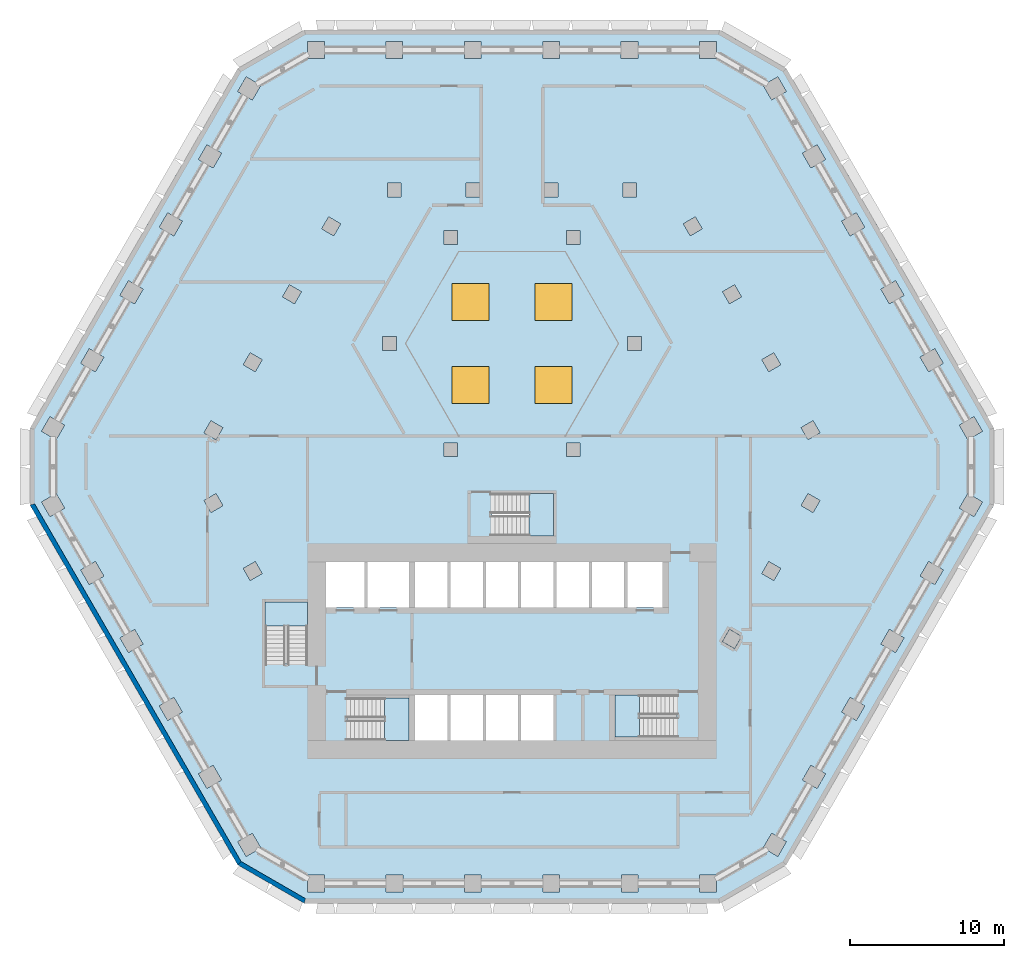
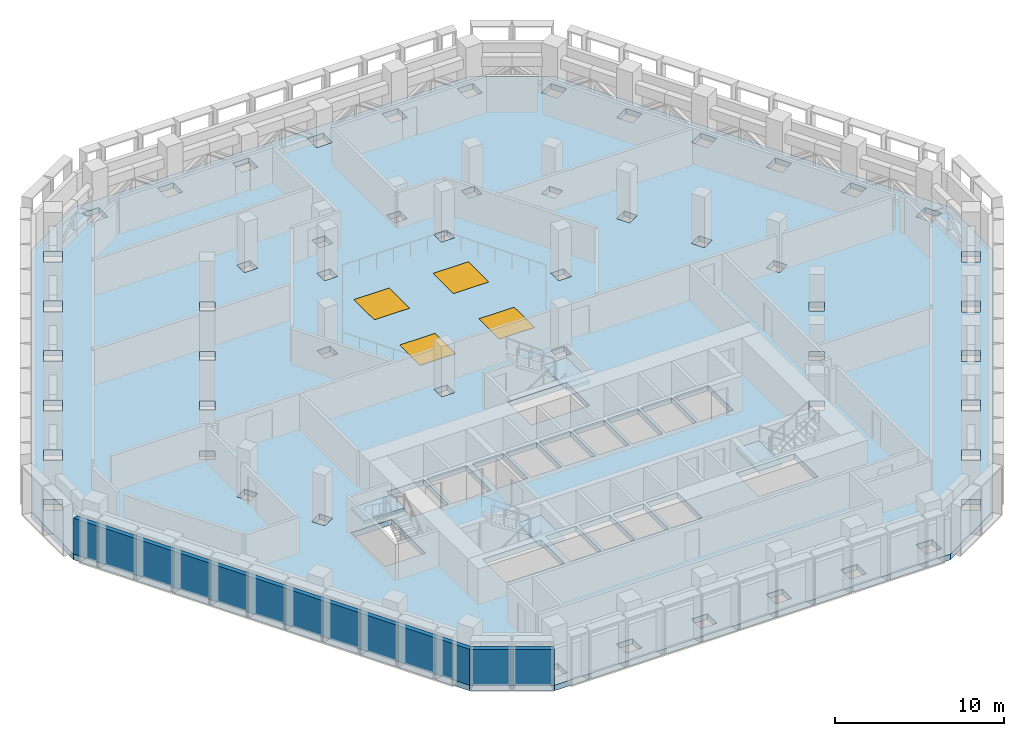
# One storey, part 10 of 22: 5 slabs, 4 windows, 2 walls, 4 openings, 4 elements without a shape of their own.
"""IFC4 building model written with IfcOpenShell, lengths in metres."""

from ifc_helpers import new_model, si_unit, direction, frame, origin, origin_2d, place, context, subcontext, project, spatial, polyline, rectangle, outline, extrude, material, layer, layer_set, type_object, element, fill, aggregate, save


model = new_model("IFC4")

# Units and contexts
model_context = context("Model", 3, precision=1e-05, world=origin(), true_north=direction((0.0, 1.0)))
body_context = subcontext(model_context, "Body", "Model", "MODEL_VIEW")
ifc_project = project(units=[si_unit("LENGTHUNIT", "METRE"), si_unit("AREAUNIT", "SQUARE_METRE"), si_unit("VOLUMEUNIT", "CUBIC_METRE"), si_unit("PLANEANGLEUNIT", "RADIAN"), si_unit("MASSUNIT", "GRAM", prefix="KILO")], contexts=[model_context])

# Site, building, storey
site_placement = place(None, origin())
site = spatial("IfcSite", under=ifc_project, at=site_placement, CompositionType="ELEMENT")
building_placement = place(site_placement, origin())
building = spatial("IfcBuilding", under=site, at=building_placement, Name="Beryl Residences", CompositionType="ELEMENT")
storey_placement = place(building_placement, frame((0.0, 0.0, 62.39990234375)))
storey = spatial("IfcBuildingStorey", under=building, at=storey_placement, Name="L19", CompositionType="ELEMENT", Elevation=62.39990234375)

# Slab, openings, windows
ifc_material_1 = material(Name="Concrete C40/50", Category="concrete")
ifc_layer_1 = layer(ifc_material_1, 0.39990234375)
ifc_layer_set_1 = layer_set([ifc_layer_1], Name="SL8 PT floor slab 400 mm C40/50")
slab_type_1 = type_object("IfcSlabType", Name="SL8 PT floor slab 400 mm C40/50", PredefinedType="FLOOR", material=ifc_layer_set_1)
slab_1_placement = place(storey_placement, frame((0.0, 0.0, -0.39990234375)))
slab_1 = element("IfcSlab", 1, at=slab_1_placement, inside=storey, type_object=slab_type_1, Name="L19 slab 1", PredefinedType="FLOOR", context=body_context, shape_type="SweptSolid", body=[
    extrude(outline(polyline([(31.35009765625, 2.5), (31.35009765625, -2.5), (17.840087890625, -25.89990234375), (13.510009765625, -28.39990234375), (-13.510009765625, -28.39990234375), (-17.840087890625, -25.89990234375), (-31.35009765625, -2.5), (-31.35009765625, 2.5), (-17.840087890625, 25.89990234375), (-13.510009765625, 28.39990234375), (13.510009765625, 28.39990234375), (17.840087890625, 25.89990234375), (31.35009765625, 2.5)]), holes=[polyline([(30.050048828125, -3.25), (30.60009765625, -2.298095703125), (29.64794921875, -1.748046875), (29.097900390625, -2.699951171875), (30.050048828125, -3.25)]), polyline([(29.64697265625, 1.7490234375), (30.59912109375, 2.299072265625), (30.049072265625, 3.2509765625), (29.096923828125, 2.700927734375), (29.64697265625, 1.7490234375)]), polyline([(27.4990234375, -7.669921875), (28.049072265625, -6.718017578125), (27.096923828125, -6.16796875), (26.547119140625, -7.1201171875), (27.4990234375, -7.669921875)]), polyline([(28.048095703125, 6.719970703125), (27.498046875, 7.672119140625), (26.5458984375, 7.1220703125), (27.095947265625, 6.169921875), (28.048095703125, 6.719970703125)]), polyline([(25.4970703125, -11.137939453125), (24.544921875, -10.587890625), (23.9951171875, -11.5400390625), (24.947021484375, -12.090087890625), (25.4970703125, -11.137939453125)]), polyline([(24.5439453125, 10.590087890625), (25.49609375, 11.139892578125), (24.946044921875, 12.092041015625), (23.993896484375, 11.5419921875), (24.5439453125, 10.590087890625)]), polyline([(21.443115234375, -15.9599609375), (22.39501953125, -16.510009765625), (22.945068359375, -15.55810546875), (21.992919921875, -15.008056640625), (21.443115234375, -15.9599609375)]), polyline([(22.944091796875, 15.56005859375), (22.39404296875, 16.511962890625), (21.44189453125, 15.9619140625), (21.991943359375, 15.010009765625), (22.944091796875, 15.56005859375)]), polyline([(19.843017578125, -20.930908203125), (20.39306640625, -19.97900390625), (19.44091796875, -19.428955078125), (18.89111328125, -20.381103515625), (19.843017578125, -20.930908203125)]), polyline([(20.39208984375, 19.97998046875), (19.842041015625, 20.931884765625), (18.889892578125, 20.382080078125), (19.43994140625, 19.429931640625), (20.39208984375, 19.97998046875)]), polyline([(19.58203125, -2.98388671875), (20.031982421875, -2.2041015625), (19.251953125, -1.75390625), (18.802001953125, -2.533935546875), (19.58203125, -2.98388671875)]), polyline([(19.2509765625, 1.756103515625), (20.031005859375, 2.2060546875), (19.5810546875, 2.986083984375), (18.801025390625, 2.535888671875), (19.2509765625, 1.756103515625)]), polyline([(17.291015625, -25.35107421875), (17.841064453125, -24.39892578125), (16.888916015625, -23.84912109375), (16.339111328125, -24.801025390625), (17.291015625, -25.35107421875)]), polyline([(16.887939453125, 23.85009765625), (17.840087890625, 24.39990234375), (17.2900390625, 25.35205078125), (16.337890625, 24.802001953125), (16.887939453125, 23.85009765625)]), polyline([(17.030029296875, -7.404052734375), (17.47998046875, -6.6240234375), (16.699951171875, -6.174072265625), (16.25, -6.9541015625), (17.030029296875, -7.404052734375)]), polyline([(17.47900390625, 6.6259765625), (17.029052734375, 7.406005859375), (16.2490234375, 6.9560546875), (16.698974609375, 6.176025390625), (17.47900390625, 6.6259765625)]), polyline([(14.47802734375, -11.823974609375), (14.927978515625, -11.0439453125), (14.14794921875, -10.593994140625), (13.697998046875, -11.3740234375), (14.47802734375, -11.823974609375)]), polyline([(14.14697265625, 10.595947265625), (14.927001953125, 11.0458984375), (14.47705078125, 11.825927734375), (13.697021484375, 11.3759765625), (14.14697265625, 10.595947265625)]), polyline([(12.2109375, -27.64990234375), (13.31103515625, -27.64990234375), (13.31103515625, -26.550048828125), (12.2109375, -26.550048828125), (12.2109375, -27.64990234375)]), polyline([(13.30908203125, 26.550048828125), (13.30908203125, 27.64990234375), (12.208984375, 27.64990234375), (12.208984375, 26.550048828125), (13.30908203125, 26.550048828125)]), polyline([(12.375, 15.466064453125), (11.925048828125, 16.24609375), (11.14501953125, 15.7958984375), (11.594970703125, 15.01611328125), (12.375, 15.466064453125)]), polyline([(10.699951171875, -17.60009765625), (10.699951171875, -14.85009765625), (6.699951171875, -14.85009765625), (6.699951171875, -17.60009765625), (10.699951171875, -17.60009765625)]), polyline([(9.800048828125, -9.14990234375), (9.800048828125, -6.199951171875), (7.5, -6.199951171875), (7.5, -9.14990234375), (9.800048828125, -9.14990234375)]), polyline([(7.51708984375, 7.550048828125), (8.4169921875, 7.550048828125), (8.4169921875, 8.449951171875), (7.51708984375, 8.449951171875), (7.51708984375, 7.550048828125)]), polyline([(7.10693359375, -26.550048828125), (7.10693359375, -27.64990234375), (8.20703125, -27.64990234375), (8.20703125, -26.550048828125), (7.10693359375, -26.550048828125)]), polyline([(8.205078125, 26.550048828125), (8.205078125, 27.64990234375), (7.10498046875, 27.64990234375), (7.10498046875, 26.550048828125), (8.205078125, 26.550048828125)]), polyline([(8.10498046875, 18.449951171875), (7.205078125, 18.449951171875), (7.205078125, 17.550048828125), (8.10498046875, 17.550048828125), (8.10498046875, 18.449951171875)]), polyline([(5.199951171875, -6.199951171875), (5.199951171875, -9.14990234375), (7.300048828125, -9.14990234375), (7.300048828125, -6.199951171875), (5.199951171875, -6.199951171875)]), polyline([(5.0, -6.199951171875), (2.89990234375, -6.199951171875), (2.89990234375, -9.14990234375), (5.0, -9.14990234375), (5.0, -6.199951171875)]), polyline([(4.43408203125, 14.449951171875), (4.43408203125, 15.35009765625), (3.533935546875, 15.35009765625), (3.533935546875, 14.449951171875), (4.43408203125, 14.449951171875)]), polyline([(3.533935546875, 0.64990234375), (4.43408203125, 0.64990234375), (4.43408203125, 1.550048828125), (3.533935546875, 1.550048828125), (3.533935546875, 0.64990234375)]), polyline([(2.0029296875, -27.64990234375), (3.10302734375, -27.64990234375), (3.10302734375, -26.550048828125), (2.0029296875, -26.550048828125), (2.0029296875, -27.64990234375)]), polyline([(3.10107421875, 27.64990234375), (2.0009765625, 27.64990234375), (2.0009765625, 26.550048828125), (3.10107421875, 26.550048828125), (3.10107421875, 27.64990234375)]), polyline([(3.0009765625, 17.550048828125), (3.0009765625, 18.449951171875), (2.10107421875, 18.449951171875), (2.10107421875, 17.550048828125), (3.0009765625, 17.550048828125)]), polyline([(2.699951171875, -1.75), (-1.300048828125, -1.75), (-1.300048828125, -4.5), (2.699951171875, -4.5), (2.699951171875, -1.75)]), polyline([(0.60009765625, -6.199951171875), (0.60009765625, -9.14990234375), (2.699951171875, -9.14990234375), (2.699951171875, -6.199951171875), (0.60009765625, -6.199951171875)]), polyline([(0.60009765625, -14.85009765625), (0.60009765625, -17.800048828125), (2.699951171875, -17.800048828125), (2.699951171875, -14.85009765625), (0.60009765625, -14.85009765625)]), polyline([(0.39990234375, -6.199951171875), (-1.699951171875, -6.199951171875), (-1.699951171875, -9.14990234375), (0.39990234375, -9.14990234375), (0.39990234375, -6.199951171875)]), polyline([(0.39990234375, -14.85009765625), (-1.699951171875, -14.85009765625), (-1.699951171875, -17.800048828125), (0.39990234375, -17.800048828125), (0.39990234375, -14.85009765625)]), polyline([(-4.0, -6.199951171875), (-4.0, -9.14990234375), (-1.89990234375, -9.14990234375), (-1.89990234375, -6.199951171875), (-4.0, -6.199951171875)]), polyline([(-4.0, -14.85009765625), (-4.0, -17.800048828125), (-1.89990234375, -17.800048828125), (-1.89990234375, -14.85009765625), (-4.0, -14.85009765625)]), polyline([(-3.10107421875, -27.64990234375), (-2.0009765625, -27.64990234375), (-2.0009765625, -26.550048828125), (-3.10107421875, -26.550048828125), (-3.10107421875, -27.64990234375)]), polyline([(-2.0029296875, 27.64990234375), (-3.10302734375, 27.64990234375), (-3.10302734375, 26.550048828125), (-2.0029296875, 26.550048828125), (-2.0029296875, 27.64990234375)]), polyline([(-2.10302734375, 17.550048828125), (-2.10302734375, 18.449951171875), (-3.0029296875, 18.449951171875), (-3.0029296875, 17.550048828125), (-2.10302734375, 17.550048828125)]), polyline([(-4.43408203125, 0.64990234375), (-3.533935546875, 0.64990234375), (-3.533935546875, 1.550048828125), (-4.43408203125, 1.550048828125), (-4.43408203125, 0.64990234375)]), polyline([(-4.43408203125, 14.449951171875), (-3.533935546875, 14.449951171875), (-3.533935546875, 15.35009765625), (-4.43408203125, 15.35009765625), (-4.43408203125, 14.449951171875)]), polyline([(-4.199951171875, -14.85009765625), (-6.300048828125, -14.85009765625), (-6.300048828125, -17.800048828125), (-4.199951171875, -17.800048828125), (-4.199951171875, -14.85009765625)]), polyline([(-6.300048828125, -6.199951171875), (-6.300048828125, -9.14990234375), (-4.199951171875, -9.14990234375), (-4.199951171875, -6.199951171875), (-6.300048828125, -6.199951171875)]), polyline([(-6.699951171875, -6.199951171875), (-9.39990234375, -6.199951171875), (-9.39990234375, -9.14990234375), (-6.699951171875, -9.14990234375), (-6.699951171875, -6.199951171875)]), polyline([(-10.699951171875, -17.800048828125), (-6.699951171875, -17.800048828125), (-6.699951171875, -15.050048828125), (-10.699951171875, -15.050048828125), (-10.699951171875, -17.800048828125)]), polyline([(-8.205078125, -26.550048828125), (-8.205078125, -27.64990234375), (-7.10498046875, -27.64990234375), (-7.10498046875, -26.550048828125), (-8.205078125, -26.550048828125)]), polyline([(-7.10693359375, 26.550048828125), (-7.10693359375, 27.64990234375), (-8.20703125, 27.64990234375), (-8.20703125, 26.550048828125), (-7.10693359375, 26.550048828125)]), polyline([(-7.20703125, 18.449951171875), (-8.10693359375, 18.449951171875), (-8.10693359375, 17.550048828125), (-7.20703125, 17.550048828125), (-7.20703125, 18.449951171875)]), polyline([(-8.4169921875, 8.449951171875), (-8.4169921875, 7.550048828125), (-7.51708984375, 7.550048828125), (-7.51708984375, 8.449951171875), (-8.4169921875, 8.449951171875)]), polyline([(-9.60009765625, -6.199951171875), (-12.10009765625, -6.199951171875), (-12.10009765625, -9.14990234375), (-9.60009765625, -9.14990234375), (-9.60009765625, -6.199951171875)]), polyline([(-11.926025390625, 16.2451171875), (-12.3759765625, 15.465087890625), (-11.595947265625, 15.014892578125), (-11.14599609375, 15.794921875), (-11.926025390625, 16.2451171875)]), polyline([(-12.208984375, -27.64990234375), (-12.208984375, -26.550048828125), (-13.30908203125, -26.550048828125), (-13.30908203125, -27.64990234375), (-12.208984375, -27.64990234375)]), polyline([(-12.2109375, 27.64990234375), (-13.31103515625, 27.64990234375), (-13.31103515625, 26.550048828125), (-12.2109375, 26.550048828125), (-12.2109375, 27.64990234375)]), polyline([(-13.300048828125, -12.800048828125), (-13.300048828125, -8.800048828125), (-16.050048828125, -8.800048828125), (-16.050048828125, -12.800048828125), (-13.300048828125, -12.800048828125)]), polyline([(-13.697998046875, 11.3740234375), (-14.47802734375, 11.823974609375), (-14.927978515625, 11.0439453125), (-14.14794921875, 10.593994140625), (-13.697998046875, 11.3740234375)]), polyline([(-17.47900390625, -6.6259765625), (-17.029052734375, -7.406005859375), (-16.2490234375, -6.9560546875), (-16.698974609375, -6.176025390625), (-17.47900390625, -6.6259765625)]), polyline([(-17.030029296875, 7.404052734375), (-17.47998046875, 6.6240234375), (-16.699951171875, 6.174072265625), (-16.25, 6.9541015625), (-17.030029296875, 7.404052734375)]), polyline([(-17.840087890625, -24.39990234375), (-17.2900390625, -25.35205078125), (-16.337890625, -24.802001953125), (-16.887939453125, -23.85009765625), (-17.840087890625, -24.39990234375)]), polyline([(-17.291015625, 25.35107421875), (-17.841064453125, 24.39892578125), (-16.888916015625, 23.84912109375), (-16.339111328125, 24.801025390625), (-17.291015625, 25.35107421875)]), polyline([(-19.2509765625, -1.756103515625), (-20.031005859375, -2.2060546875), (-19.5810546875, -2.986083984375), (-18.801025390625, -2.535888671875), (-19.2509765625, -1.756103515625)]), polyline([(-18.802001953125, 2.533935546875), (-19.58203125, 2.98388671875), (-20.031982421875, 2.2041015625), (-19.251953125, 1.75390625), (-18.802001953125, 2.533935546875)]), polyline([(-20.39208984375, -19.97998046875), (-19.842041015625, -20.931884765625), (-18.889892578125, -20.382080078125), (-19.43994140625, -19.429931640625), (-20.39208984375, -19.97998046875)]), polyline([(-19.843017578125, 20.930908203125), (-20.39306640625, 19.97900390625), (-19.44091796875, 19.428955078125), (-18.89111328125, 20.381103515625), (-19.843017578125, 20.930908203125)]), polyline([(-22.944091796875, -15.56005859375), (-22.39404296875, -16.511962890625), (-21.44189453125, -15.9619140625), (-21.991943359375, -15.010009765625), (-22.944091796875, -15.56005859375)]), polyline([(-22.39501953125, 16.510009765625), (-22.945068359375, 15.55810546875), (-21.992919921875, 15.008056640625), (-21.443115234375, 15.9599609375), (-22.39501953125, 16.510009765625)]), polyline([(-25.49609375, -11.139892578125), (-24.946044921875, -12.092041015625), (-23.993896484375, -11.5419921875), (-24.5439453125, -10.590087890625), (-25.49609375, -11.139892578125)]), polyline([(-25.4970703125, 11.137939453125), (-24.544921875, 10.587890625), (-23.9951171875, 11.5400390625), (-24.947021484375, 12.090087890625), (-25.4970703125, 11.137939453125)]), polyline([(-28.048095703125, -6.719970703125), (-27.498046875, -7.672119140625), (-26.5458984375, -7.1220703125), (-27.095947265625, -6.169921875), (-28.048095703125, -6.719970703125)]), polyline([(-27.4990234375, 7.669921875), (-28.049072265625, 6.718017578125), (-27.096923828125, 6.16796875), (-26.547119140625, 7.1201171875), (-27.4990234375, 7.669921875)]), polyline([(-30.049072265625, -3.2509765625), (-29.096923828125, -2.700927734375), (-29.64697265625, -1.7490234375), (-30.59912109375, -2.299072265625), (-30.049072265625, -3.2509765625)]), polyline([(-30.050048828125, 3.25), (-30.60009765625, 2.298095703125), (-29.64794921875, 1.748046875), (-29.097900390625, 2.699951171875), (-30.050048828125, 3.25)])]), origin(), (0.0, 0.0, 1.0), 0.39990234375),
])
opening_1_placement = place(slab_1_placement, frame((-2.699951171875, 5.300048828125, 0.0)))
opening_1 = element("IfcOpeningElement", 2, at=opening_1_placement, cuts=slab_1, Name="Opening SK1", PredefinedType="OPENING", context=body_context, shape_type="SweptSolid", body=[
    extrude(rectangle(XDim=2.39990234375, YDim=2.39990234375, at=origin_2d()), origin(), (0.0, 0.0, 1.0), 0.39990234375),
])
opening_2_placement = place(slab_1_placement, frame((-2.699951171875, 10.699951171875, 0.0)))
opening_2 = element("IfcOpeningElement", 3, at=opening_2_placement, cuts=slab_1, Name="Opening SK1", PredefinedType="OPENING", context=body_context, shape_type="SweptSolid", body=[
    extrude(rectangle(XDim=2.39990234375, YDim=2.39990234375, at=origin_2d()), origin(), (0.0, 0.0, 1.0), 0.39990234375),
])
opening_3_placement = place(slab_1_placement, frame((2.699951171875, 5.300048828125, 0.0)))
opening_3 = element("IfcOpeningElement", 4, at=opening_3_placement, cuts=slab_1, Name="Opening SK1", PredefinedType="OPENING", context=body_context, shape_type="SweptSolid", body=[
    extrude(rectangle(XDim=2.39990234375, YDim=2.39990234375, at=origin_2d()), origin(), (0.0, 0.0, 1.0), 0.39990234375),
])
opening_4_placement = place(slab_1_placement, frame((2.699951171875, 10.699951171875, 0.0)))
opening_4 = element("IfcOpeningElement", 5, at=opening_4_placement, cuts=slab_1, Name="Opening SK1", PredefinedType="OPENING", context=body_context, shape_type="SweptSolid", body=[
    extrude(rectangle(XDim=2.39990234375, YDim=2.39990234375, at=origin_2d()), origin(), (0.0, 0.0, 1.0), 0.39990234375),
])
ifc_material_2 = material(Name="Fire-resisting laminated glass in aluminium frame", Category="aluminium")
window_type = type_object("IfcWindowType", Name="SK1 atrium rooflight 2400 x 2400 mm", PartitioningType="SINGLE_PANEL", PredefinedType="SKYLIGHT", material=ifc_material_2)
window_1_placement = place(opening_1_placement, frame((0.0, 0.0, 0.349853515625)))
window_1 = element("IfcWindow", 6, at=window_1_placement, inside=storey, type_object=window_type, Name="SK1 atrium rooflight L19 1", OverallHeight=2.39990234375, OverallWidth=2.39990234375, PartitioningType="SINGLE_PANEL", PredefinedType="SKYLIGHT", context=body_context, shape_type="SweptSolid", body=[
    extrude(rectangle(XDim=2.39990234375, YDim=2.39990234375, at=origin_2d()), origin(), (0.0, 0.0, 1.0), 0.050048828125),
])
fill(opening_1, window_1)
window_2_placement = place(opening_2_placement, frame((0.0, 0.0, 0.349853515625)))
window_2 = element("IfcWindow", 7, at=window_2_placement, inside=storey, type_object=window_type, Name="SK1 atrium rooflight L19 2", OverallHeight=2.39990234375, OverallWidth=2.39990234375, PartitioningType="SINGLE_PANEL", PredefinedType="SKYLIGHT", context=body_context, shape_type="SweptSolid", body=[
    extrude(rectangle(XDim=2.39990234375, YDim=2.39990234375, at=origin_2d()), origin(), (0.0, 0.0, 1.0), 0.050048828125),
])
fill(opening_2, window_2)
window_3_placement = place(opening_3_placement, frame((0.0, 0.0, 0.349853515625)))
window_3 = element("IfcWindow", 8, at=window_3_placement, inside=storey, type_object=window_type, Name="SK1 atrium rooflight L19 3", OverallHeight=2.39990234375, OverallWidth=2.39990234375, PartitioningType="SINGLE_PANEL", PredefinedType="SKYLIGHT", context=body_context, shape_type="SweptSolid", body=[
    extrude(rectangle(XDim=2.39990234375, YDim=2.39990234375, at=origin_2d()), origin(), (0.0, 0.0, 1.0), 0.050048828125),
])
fill(opening_3, window_3)
window_4_placement = place(opening_4_placement, frame((0.0, 0.0, 0.349853515625)))
window_4 = element("IfcWindow", 9, at=window_4_placement, inside=storey, type_object=window_type, Name="SK1 atrium rooflight L19 4", OverallHeight=2.39990234375, OverallWidth=2.39990234375, PartitioningType="SINGLE_PANEL", PredefinedType="SKYLIGHT", context=body_context, shape_type="SweptSolid", body=[
    extrude(rectangle(XDim=2.39990234375, YDim=2.39990234375, at=origin_2d()), origin(), (0.0, 0.0, 1.0), 0.050048828125),
])
fill(opening_4, window_4)

# Stair, slab
ifc_material_3 = material(Name="Concrete C40/50", Category="concrete")
stair_type = type_object("IfcStairType", Name="ST1 protected exit stair, half-turn, 1300 mm flights", PredefinedType="HALF_TURN_STAIR", material=ifc_material_3)
stair_1_placement = place(storey_placement, origin())
stair_1 = element("IfcStair", 10, at=stair_1_placement, inside=storey, type_object=stair_type, Name="L19 PROTECTED EXIT STAIR ST-1", PredefinedType="HALF_TURN_STAIR")
ifc_material_4 = material(Name="Concrete C40/50", Category="concrete")
ifc_layer_2 = layer(ifc_material_4, 0.199951171875)
ifc_layer_set_2 = layer_set([ifc_layer_2], Name="SLD1 stair landing 200 mm")
slab_type_2 = type_object("IfcSlabType", Name="SLD1 stair landing 200 mm", PredefinedType="LANDING", material=ifc_layer_set_2)
slab_2_placement = place(storey_placement, frame((0.0, 0.0, 1.60009765625)))
slab_2 = element("IfcSlab", 11, at=slab_2_placement, type_object=slab_type_2, Name="ST-1 landing 1", PredefinedType="LANDING", context=body_context, shape_type="SweptSolid", body=[
    extrude(outline(polyline([(-8.280029296875, -17.800048828125), (-6.699951171875, -17.800048828125), (-6.699951171875, -15.050048828125), (-8.280029296875, -15.050048828125), (-8.280029296875, -17.800048828125)])), origin(), (0.0, 0.0, 1.0), 0.199951171875),
])
aggregate(stair_1, [slab_2])

stair_2_placement = place(storey_placement, origin())
stair_2 = element("IfcStair", 12, at=stair_2_placement, inside=storey, type_object=stair_type, Name="L19 PROTECTED EXIT STAIR ST-2", PredefinedType="HALF_TURN_STAIR")
slab_3_placement = place(storey_placement, frame((0.0, 0.0, 1.60009765625)))
slab_3 = element("IfcSlab", 13, at=slab_3_placement, type_object=slab_type_2, Name="ST-2 landing 1", PredefinedType="LANDING", context=body_context, shape_type="SweptSolid", body=[
    extrude(outline(polyline([(-13.300048828125, -10.3798828125), (-13.300048828125, -8.800048828125), (-16.050048828125, -8.800048828125), (-16.050048828125, -10.3798828125), (-13.300048828125, -10.3798828125)])), origin(), (0.0, 0.0, 1.0), 0.199951171875),
])
aggregate(stair_2, [slab_3])

stair_3_placement = place(storey_placement, origin())
stair_3 = element("IfcStair", 14, at=stair_3_placement, inside=storey, type_object=stair_type, Name="L19 PROTECTED EXIT STAIR ST-3", PredefinedType="HALF_TURN_STAIR")
slab_4_placement = place(storey_placement, frame((0.0, 0.0, 1.60009765625)))
slab_4 = element("IfcSlab", 15, at=slab_4_placement, type_object=slab_type_2, Name="ST-3 landing 1", PredefinedType="LANDING", context=body_context, shape_type="SweptSolid", body=[
    extrude(outline(polyline([(8.280029296875, -14.85009765625), (6.699951171875, -14.85009765625), (6.699951171875, -17.60009765625), (8.280029296875, -17.60009765625), (8.280029296875, -14.85009765625)])), origin(), (0.0, 0.0, 1.0), 0.199951171875),
])
aggregate(stair_3, [slab_4])

stair_4_placement = place(storey_placement, origin())
stair_4 = element("IfcStair", 16, at=stair_4_placement, inside=storey, type_object=stair_type, Name="L19 PROTECTED EXIT STAIR ST-4", PredefinedType="HALF_TURN_STAIR")
slab_5_placement = place(storey_placement, frame((0.0, 0.0, 1.60009765625)))
slab_5 = element("IfcSlab", 17, at=slab_5_placement, type_object=slab_type_2, Name="ST-4 landing 1", PredefinedType="LANDING", context=body_context, shape_type="SweptSolid", body=[
    extrude(outline(polyline([(1.1201171875, -4.5), (2.699951171875, -4.5), (2.699951171875, -1.75), (1.1201171875, -1.75), (1.1201171875, -4.5)])), origin(), (0.0, 0.0, 1.0), 0.199951171875),
])
aggregate(stair_4, [slab_5])

# Walls
ifc_material_5 = material(Name="Composite metal panel with mineral wool insulation")
ifc_layer_3 = layer(ifc_material_5, 0.300048828125)
ifc_layer_set_3 = layer_set([ifc_layer_3], Name="ES1 pale metal composite panel wall 300 mm")
wall_type = type_object("IfcWallType", Name="ES1 pale metal composite panel wall 300 mm", PredefinedType="SOLIDWALL", material=ifc_layer_set_3)
wall_1_placement = place(storey_placement, frame((-31.219970703125, -2.425048828125, 0.0), z_axis=(0.0, 0.0, 1.0), x_axis=(0.500001938803, -0.866024284413, 0.0)))
element("IfcWall", 18, at=wall_1_placement, inside=storey, type_object=wall_type, Name="ES1 external wall L19 SW", PredefinedType="SOLIDWALL", context=body_context, shape_type="SweptSolid", body=[
    extrude(outline(polyline([(0.0, -0.14990234375), (27.02001953125, -0.14990234375), (26.939697265625, 0.14990234375), (0.080322265625, 0.14990234375), (0.0, -0.14990234375)])), origin(), (0.0, 0.0, 1.0), 2.60009765625),
])
wall_2_placement = place(storey_placement, frame((-17.764892578125, -25.77001953125, 0.0), z_axis=(0.0, 0.0, 1.0), x_axis=(0.866010750942, -0.50002537861, 0.0)))
element("IfcWall", 19, at=wall_2_placement, inside=storey, type_object=wall_type, Name="ES1 external wall L19 SW-S", PredefinedType="SOLIDWALL", context=body_context, shape_type="SweptSolid", body=[
    extrude(outline(polyline([(0.0, -0.14990234375), (4.999755859375, -0.14990234375), (4.91943359375, 0.14990234375), (0.080322265625, 0.14990234375), (0.0, -0.14990234375)])), origin(), (0.0, 0.0, 1.0), 2.60009765625),
])

save(model, "model.ifc")
